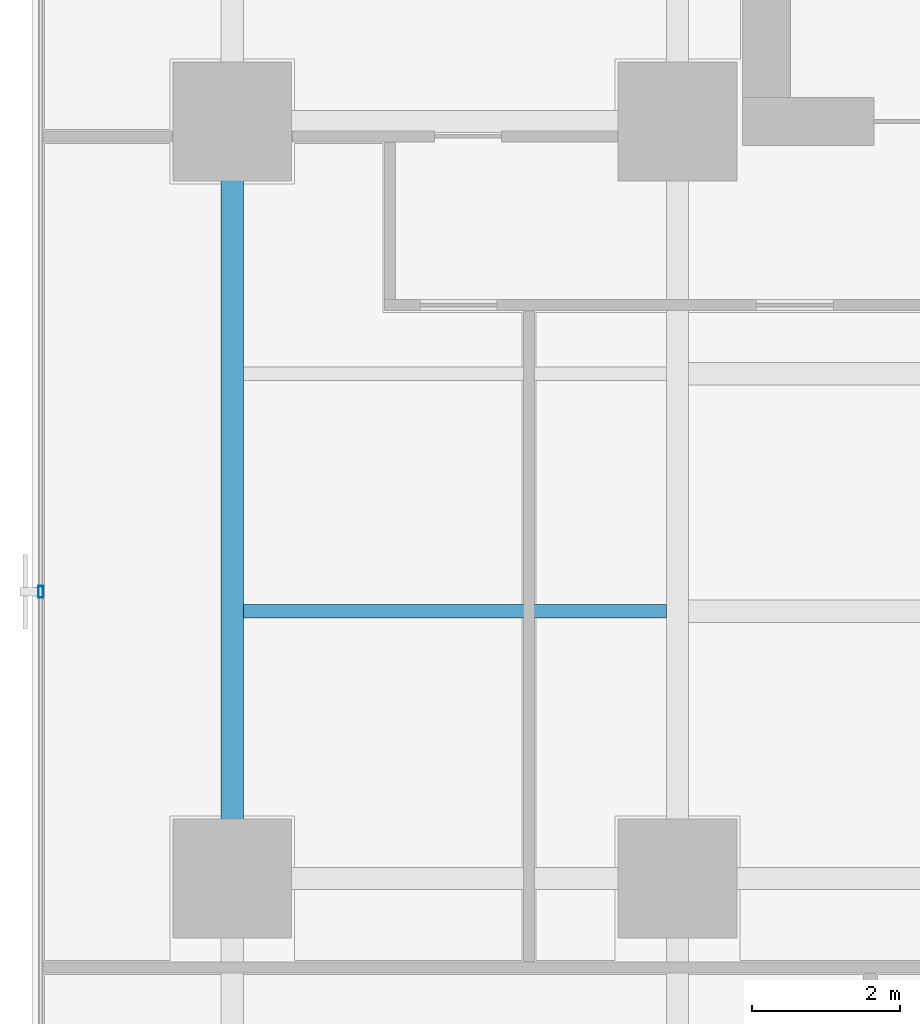
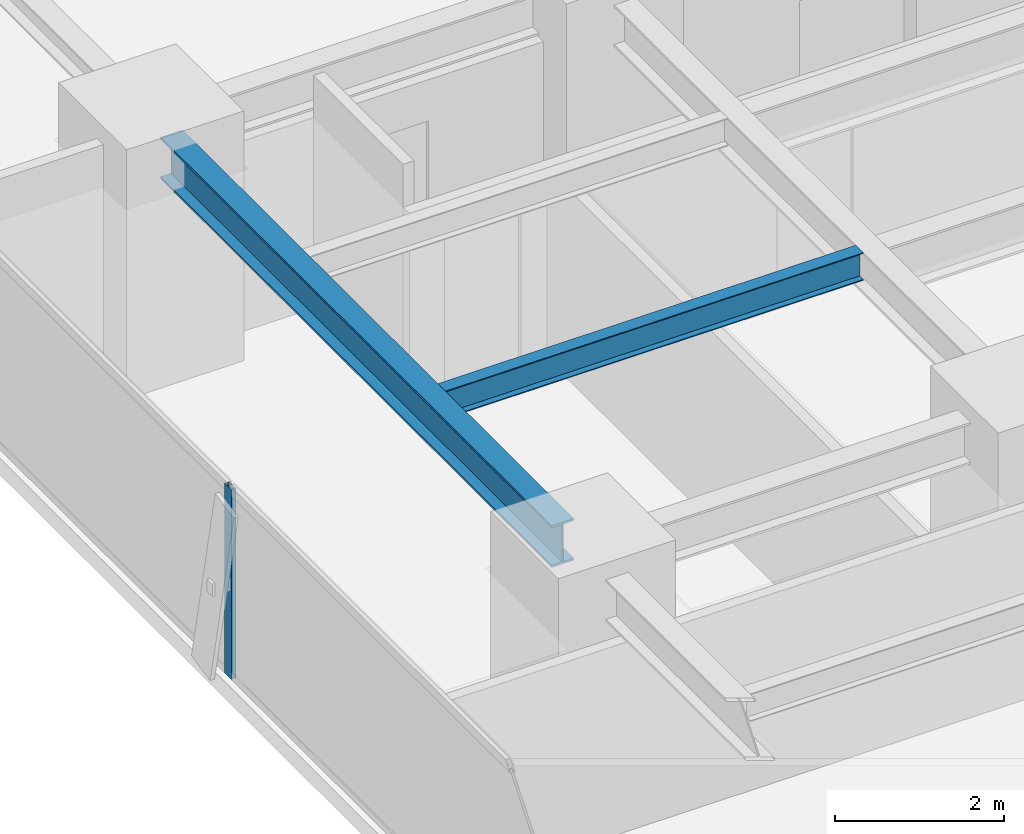
# One storey, part 10 of 37: 2 beams, 1 member, 1 element without a shape of its own.
"""IFC4 building model written with IfcOpenShell, lengths in metres."""

from ifc_helpers import new_model, si_unit, direction, frame, origin, origin_2d, place, context, subcontext, project, spatial, hollow_rectangle, i_section, extrude, source, transform, mapped, material, layer, layer_set, material_profile, profile_set, type_object, element, aggregate, save


model = new_model("IFC4")

# Units and contexts
model_context = context("Model", 3, precision=1e-05, world=origin(), true_north=direction((0.0, 1.0)))
body_context = subcontext(model_context, "Body", "Model", "MODEL_VIEW")
ifc_project = project(units=[si_unit("LENGTHUNIT", "METRE"), si_unit("AREAUNIT", "SQUARE_METRE"), si_unit("VOLUMEUNIT", "CUBIC_METRE"), si_unit("PLANEANGLEUNIT", "RADIAN"), si_unit("MASSUNIT", "GRAM", prefix="KILO")], contexts=[model_context])

# Site, building, storey
site_placement = place(None, origin())
site = spatial("IfcSite", under=ifc_project, at=site_placement, CompositionType="ELEMENT")
building_placement = place(site_placement, origin())
building = spatial("IfcBuilding", under=site, at=building_placement, Name="Sumidabori Civic Tower", CompositionType="ELEMENT")
storey_placement = place(building_placement, frame((0.0, 0.0, 95.60009765625)))
storey = spatial("IfcBuildingStorey", under=building, at=storey_placement, Name="L24", CompositionType="ELEMENT", Elevation=95.60009765625)

# Beams
ifc_material_1 = material(Name="Steel SN490", Category="steel")
ifc_material_profile_1 = material_profile(ifc_material_1, i_section(OverallWidth=0.300048828125, OverallDepth=0.60009765625, WebThickness=0.015380859375, FlangeThickness=0.030029296875, at=origin_2d()), Name="HE 600 B")
ifc_profile_set_1 = profile_set([ifc_material_profile_1], Name="Steel SN490")
beam_type_1 = type_object("IfcBeamType", Name="BM-GIRD-600", PredefinedType="BEAM", material=ifc_profile_set_1)
shared_shape_1 = source(origin(), body_context, "Body", "SweptSolid", [
    extrude(i_section(OverallWidth=0.300048828125, OverallDepth=0.60009765625, WebThickness=0.015380859375, FlangeThickness=0.030029296875, at=origin_2d()), origin(), (0.0, 0.0, 1.0), 9.239990234375),
])
beam_1_placement = place(storey_placement, frame((-22.800048828125, 0.47998046875, 3.059814453125), z_axis=(0.0, 1.0, 0.0), x_axis=(-1.0, 0.0, 0.0)))
element("IfcBeam", 1, at=beam_1_placement, inside=storey, type_object=beam_type_1, Name="Primary Girder L24 GY-23", PredefinedType="BEAM", context=body_context, shape_type="MappedRepresentation", body=[
    mapped(shared_shape_1, transform((0.0, 0.0, 0.0), x_axis=(1.0, 0.0, 0.0), y_axis=(0.0, 1.0, 0.0), z_axis=(0.0, 0.0, 1.0), scale=1.0)),
])
ifc_material_profile_2 = material_profile(ifc_material_1, i_section(OverallWidth=0.179931640625, OverallDepth=0.39990234375, WebThickness=0.008544921875, FlangeThickness=0.013427734375, at=origin_2d()), Name="IPE 400")
ifc_profile_set_2 = profile_set([ifc_material_profile_2], Name="Steel SN490")
beam_type_2 = type_object("IfcBeamType", Name="BM-JST-400", PredefinedType="JOIST", material=ifc_profile_set_2)
shared_shape_2 = source(origin(), body_context, "Body", "SweptSolid", [
    extrude(i_section(OverallWidth=0.179931640625, OverallDepth=0.39990234375, WebThickness=0.008544921875, FlangeThickness=0.013427734375, at=origin_2d()), origin(), (0.0, 0.0, 1.0), 5.699951171875),
])
beam_2_placement = place(storey_placement, frame((-22.64990234375, 3.60009765625, 3.159912109375), z_axis=(1.0, 0.0, 0.0), x_axis=(0.0, 1.0, 0.0)))
element("IfcBeam", 2, at=beam_2_placement, inside=storey, type_object=beam_type_2, Name="Outer Bay Floor Joist L24 JSTO-47", PredefinedType="JOIST", context=body_context, shape_type="MappedRepresentation", body=[
    mapped(shared_shape_2, transform((0.0, 0.0, 0.0), x_axis=(1.0, 0.0, 0.0), y_axis=(0.0, 1.0, 0.0), z_axis=(0.0, 0.0, 1.0), scale=1.0)),
])

# Curtain wall, member
ifc_material_2 = material(Name="Anodised Bronze Aluminium AW-6063-T6", Category="aluminium")
ifc_layer = layer(ifc_material_2, 0.179931640625, Name="Anodised Bronze Aluminium AW-6063-T6")
ifc_layer_set = layer_set([ifc_layer], Name="Anodised Bronze Aluminium AW-6063-T6")
curtain_wall_type = type_object("IfcCurtainWallType", Name="CW-SYS-3", PredefinedType="NOTDEFINED", material=ifc_layer_set)
curtain_wall_placement = place(storey_placement, origin())
curtain_wall = element("IfcCurtainWall", 3, at=curtain_wall_placement, inside=storey, type_object=curtain_wall_type, Name="Curtain Wall CW:L24:R10", PredefinedType="NOTDEFINED")
ifc_material_profile_3 = material_profile(ifc_material_2, hollow_rectangle(XDim=0.06494140625, YDim=0.159912109375, WallThickness=0.0048828125, at=origin_2d()), Name="ALU MULLION 160x65")
ifc_profile_set_3 = profile_set([ifc_material_profile_3], Name="Anodised Bronze Aluminium AW-6063-T6")
member_type = type_object("IfcMemberType", Name="CW-MUL-160", PredefinedType="MULLION", material=ifc_profile_set_3)
shared_shape_3 = source(origin(), body_context, "Body", "SweptSolid", [
    extrude(hollow_rectangle(XDim=0.06494140625, YDim=0.159912109375, WallThickness=0.0048828125, at=origin_2d()), origin(), (0.0, 0.0, 1.0), 2.739990234375),
])
member_placement = place(storey_placement, frame((-25.3798828125, 3.864013671875, 0.0), z_axis=(0.0, 0.0, 1.0), x_axis=(1.0, 0.0, 0.0)))
member = element("IfcMember", 4, at=member_placement, type_object=member_type, Name="CW-3 mullion 3", PredefinedType="MULLION", context=body_context, shape_type="MappedRepresentation", body=[
    mapped(shared_shape_3, transform((0.0, 0.0, 0.0), x_axis=(1.0, 0.0, 0.0), y_axis=(0.0, 1.0, 0.0), z_axis=(0.0, 0.0, 1.0), scale=1.0)),
])
aggregate(curtain_wall, [member])

save(model, "model.ifc")
